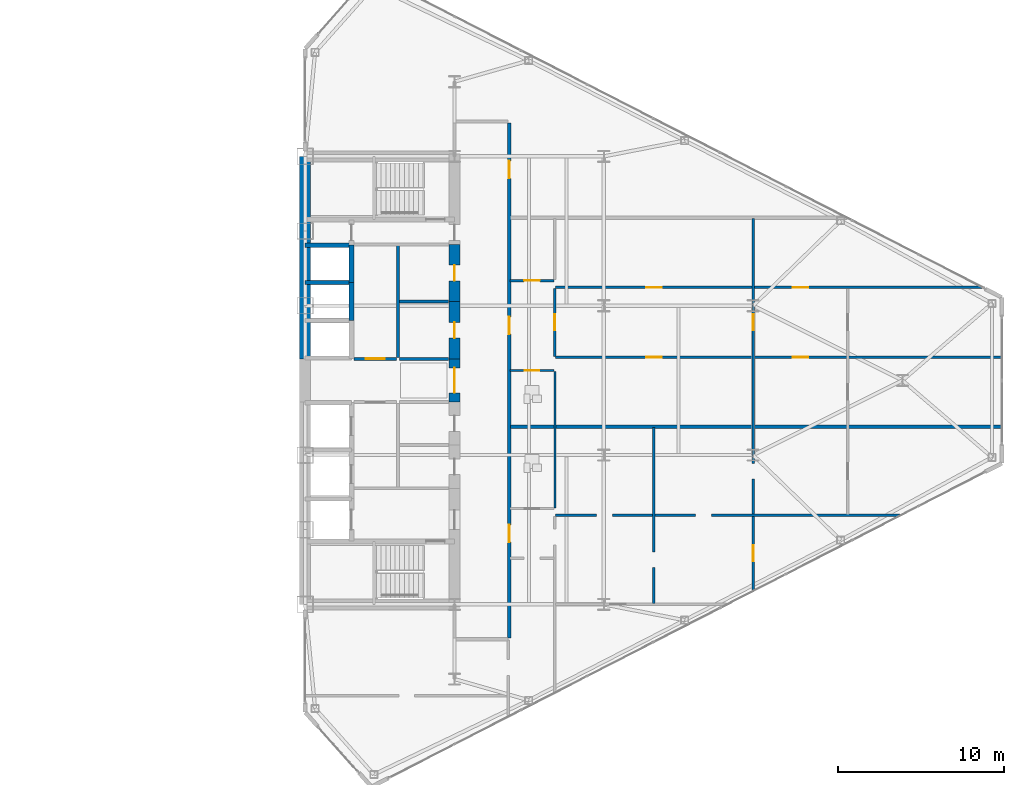
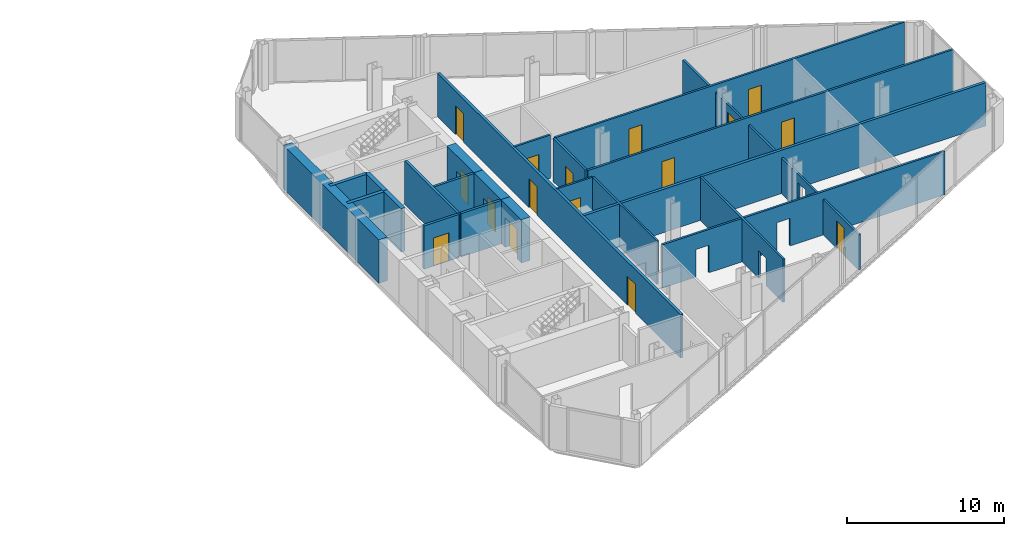
# One storey, part 20 of 24: 23 walls, 16 doors, 20 openings.
"""IFC4 building model written with IfcOpenShell, lengths in metres."""

from ifc_helpers import new_model, si_unit, direction, frame, frame_2d, origin, place, context, subcontext, project, spatial, rectangle, extrude, source, transform, mapped, material, layer, layer_set, type_object, type_shapes, element, fill, save


model = new_model("IFC4")

# Units and contexts
model_context = context("Model", 3, precision=1e-05, world=origin(), true_north=direction((0.0, 1.0)))
body_context = subcontext(model_context, "Body", "Model", "MODEL_VIEW")
ifc_project = project(units=[si_unit("LENGTHUNIT", "METRE"), si_unit("AREAUNIT", "SQUARE_METRE"), si_unit("VOLUMEUNIT", "CUBIC_METRE"), si_unit("PLANEANGLEUNIT", "RADIAN"), si_unit("MASSUNIT", "GRAM", prefix="KILO")], contexts=[model_context])

# Site, building, storey
site_placement = place(None, origin())
site = spatial("IfcSite", under=ifc_project, at=site_placement, CompositionType="ELEMENT")
building_placement = place(site_placement, origin())
building = spatial("IfcBuilding", under=site, at=building_placement, Name="Seokmaru Belvedere", CompositionType="ELEMENT")
storey_placement = place(building_placement, frame((0.0, 0.0, 117.60009765625)))
storey = spatial("IfcBuildingStorey", under=building, at=storey_placement, Name="L31", CompositionType="ELEMENT", Elevation=117.60009765625)

# Wall, openings
ifc_material_1 = material(Name="Fire-Rated Gypsum Shaftwall")
ifc_layer_1 = layer(ifc_material_1, 0.14990234375)
ifc_layer_set_1 = layer_set([ifc_layer_1], Name="Fire-Rated Gypsum Shaftwall")
wall_type_1 = type_object("IfcWallType", Name="Apartment Fire-Acoustic Room Partition 150", PredefinedType="PARTITIONING", material=ifc_layer_set_1)
wall_1_placement = place(storey_placement, frame((42.60009765625, -8.139892578125, 0.0), z_axis=(0.0, 0.0, 1.0), x_axis=(1.0, 0.0, 0.0)))
wall_1 = element("IfcWall", 1, at=wall_1_placement, inside=storey, type_object=wall_type_1, Name="L31 Interior Partition 007", PredefinedType="PARTITIONING", context=body_context, shape_type="SweptSolid", body=[
    extrude(rectangle(XDim=20.809814453125, YDim=0.14990234375, at=frame_2d((10.40478515625, 0.0))), origin(), (0.0, 0.0, 1.0), 3.3798828125),
])
opening_1_placement = place(wall_1_placement, frame((2.46240234375, 0.0, 0.0)))
element("IfcOpeningElement", 2, at=opening_1_placement, cuts=wall_1, Name="L31 Cased Opening 035", PredefinedType="OPENING", context=body_context, shape_type="SweptSolid", body=[
    extrude(rectangle(XDim=0.949951171875, YDim=2.14990234375, at=frame_2d((0.47509765625, 1.074951171875))), frame((0.0, 0.0849609375, 0.0), z_axis=(0.0, -1.0, 0.0), x_axis=(1.0, 0.0, 0.0)), (0.0, 0.0, 1.0), 0.169921875),
])
opening_2_placement = place(wall_1_placement, frame((8.4375, 0.0, 0.0)))
element("IfcOpeningElement", 3, at=opening_2_placement, cuts=wall_1, Name="L31 Cased Opening 037", PredefinedType="OPENING", context=body_context, shape_type="SweptSolid", body=[
    extrude(rectangle(XDim=0.949951171875, YDim=2.14990234375, at=frame_2d((0.47509765625, 1.074951171875))), frame((0.0, 0.0849609375, 0.0), z_axis=(0.0, -1.0, 0.0), x_axis=(1.0, 0.0, 0.0)), (0.0, 0.0, 1.0), 0.169921875),
])

# Wall, openings, doors
wall_2_placement = place(storey_placement, frame((42.60009765625, 1.39990234375, 0.0), z_axis=(0.0, 0.0, 1.0), x_axis=(1.0, 0.0, 0.0)))
wall_2 = element("IfcWall", 4, at=wall_2_placement, inside=storey, type_object=wall_type_1, Name="L31 Interior Partition 015", PredefinedType="PARTITIONING", context=body_context, shape_type="SweptSolid", body=[
    extrude(rectangle(XDim=26.934814453125, YDim=0.14990234375, at=frame_2d((13.46728515625, 0.0))), origin(), (0.0, 0.0, 1.0), 3.3798828125),
])
opening_3_placement = place(wall_2_placement, frame((5.449951171875, 0.0, 0.0)))
opening_3 = element("IfcOpeningElement", 5, at=opening_3_placement, cuts=wall_2, Name="Opening D05", PredefinedType="OPENING", context=body_context, shape_type="SweptSolid", body=[
    extrude(rectangle(XDim=0.949951171875, YDim=2.14990234375, at=frame_2d((0.47509765625, 1.074951171875))), frame((0.0, 0.0849609375, 0.0), z_axis=(0.0, -1.0, 0.0), x_axis=(1.0, 0.0, 0.0)), (0.0, 0.0, 1.0), 0.169921875),
])
opening_4_placement = place(wall_2_placement, frame((14.27490234375, 0.0, 0.0)))
opening_4 = element("IfcOpeningElement", 6, at=opening_4_placement, cuts=wall_2, Name="Opening D05", PredefinedType="OPENING", context=body_context, shape_type="SweptSolid", body=[
    extrude(rectangle(XDim=0.949951171875, YDim=2.14990234375, at=frame_2d((0.47509765625, 1.074951171875))), frame((0.0, 0.0849609375, 0.0), z_axis=(0.0, -1.0, 0.0), x_axis=(1.0, 0.0, 0.0)), (0.0, 0.0, 1.0), 0.169921875),
])
ifc_material_2 = material(Name="Engineered White Oak Timber", Category="wood")
door_type_1 = type_object("IfcDoorType", Name="Apartment Interior Fire-Rated Oak Door 950x2150", OperationType="NOTDEFINED", PredefinedType="DOOR", material=ifc_material_2)
shared_shape_1 = source(origin(), body_context, "Body", "SweptSolid", [
    extrude(rectangle(XDim=0.949951171875, YDim=2.14990234375, at=frame_2d((0.47509765625, 1.074951171875))), frame((0.0, 0.02490234375, 0.0), z_axis=(0.0, -1.0, 0.0), x_axis=(1.0, 0.0, 0.0)), (0.0, 0.0, 1.0), 0.050048828125),
])
type_shapes(door_type_1, [shared_shape_1])
door_1_placement = place(opening_3_placement, origin())
door_1 = element("IfcDoor", 7, at=door_1_placement, inside=storey, type_object=door_type_1, Name="L31 Interior Door 047", OperationType="SINGLE_SWING_RIGHT", OverallHeight=2.14990234375, OverallWidth=0.949951171875, PredefinedType="DOOR", context=body_context, shape_type="MappedRepresentation", body=[
    mapped(shared_shape_1, transform((0.0, 0.0, 0.0), scale=1.0)),
])
fill(opening_3, door_1)
door_2_placement = place(opening_4_placement, origin())
door_2 = element("IfcDoor", 8, at=door_2_placement, inside=storey, type_object=door_type_1, Name="L31 Interior Door 049", OperationType="SINGLE_SWING_RIGHT", OverallHeight=2.14990234375, OverallWidth=0.949951171875, PredefinedType="DOOR", context=body_context, shape_type="MappedRepresentation", body=[
    mapped(shared_shape_1, transform((0.0, 0.0, 0.0), scale=1.0)),
])
fill(opening_4, door_2)

wall_3_placement = place(storey_placement, frame((42.60009765625, 5.60009765625, 0.0), z_axis=(0.0, 0.0, 1.0), x_axis=(1.0, 0.0, 0.0)))
wall_3 = element("IfcWall", 9, at=wall_3_placement, inside=storey, type_object=wall_type_1, Name="L31 Interior Partition 017", PredefinedType="PARTITIONING", context=body_context, shape_type="SweptSolid", body=[
    extrude(rectangle(XDim=25.765869140625, YDim=0.14990234375, at=frame_2d((12.8828125, 0.0))), origin(), (0.0, 0.0, 1.0), 3.3798828125),
])
opening_5_placement = place(wall_3_placement, frame((5.449951171875, 0.0, 0.0)))
opening_5 = element("IfcOpeningElement", 10, at=opening_5_placement, cuts=wall_3, Name="Opening D05", PredefinedType="OPENING", context=body_context, shape_type="SweptSolid", body=[
    extrude(rectangle(XDim=0.949951171875, YDim=2.14990234375, at=frame_2d((0.47509765625, 1.074951171875))), frame((0.0, 0.0849609375, 0.0), z_axis=(0.0, -1.0, 0.0), x_axis=(1.0, 0.0, 0.0)), (0.0, 0.0, 1.0), 0.169921875),
])
opening_6_placement = place(wall_3_placement, frame((14.27490234375, 0.0, 0.0)))
opening_6 = element("IfcOpeningElement", 11, at=opening_6_placement, cuts=wall_3, Name="Opening D05", PredefinedType="OPENING", context=body_context, shape_type="SweptSolid", body=[
    extrude(rectangle(XDim=0.949951171875, YDim=2.14990234375, at=frame_2d((0.47509765625, 1.074951171875))), frame((0.0, 0.0849609375, 0.0), z_axis=(0.0, -1.0, 0.0), x_axis=(1.0, 0.0, 0.0)), (0.0, 0.0, 1.0), 0.169921875),
])
door_3_placement = place(opening_5_placement, origin())
door_3 = element("IfcDoor", 12, at=door_3_placement, inside=storey, type_object=door_type_1, Name="L31 Interior Door 048", OperationType="SINGLE_SWING_LEFT", OverallHeight=2.14990234375, OverallWidth=0.949951171875, PredefinedType="DOOR", context=body_context, shape_type="MappedRepresentation", body=[
    mapped(shared_shape_1, transform((0.0, 0.0, 0.0), scale=1.0)),
])
fill(opening_5, door_3)
door_4_placement = place(opening_6_placement, origin())
door_4 = element("IfcDoor", 13, at=door_4_placement, inside=storey, type_object=door_type_1, Name="L31 Interior Door 052", OperationType="SINGLE_SWING_LEFT", OverallHeight=2.14990234375, OverallWidth=0.949951171875, PredefinedType="DOOR", context=body_context, shape_type="MappedRepresentation", body=[
    mapped(shared_shape_1, transform((0.0, 0.0, 0.0), scale=1.0)),
])
fill(opening_6, door_4)

# Wall, opening, door
wall_4_placement = place(storey_placement, frame((39.85009765625, 6.02001953125, 0.0), z_axis=(0.0, 0.0, 1.0), x_axis=(1.0, 0.0, 0.0)))
wall_4 = element("IfcWall", 14, at=wall_4_placement, inside=storey, type_object=wall_type_1, Name="L31 Interior Partition 018", PredefinedType="PARTITIONING", context=body_context, shape_type="SweptSolid", body=[
    extrude(rectangle(XDim=2.64990234375, YDim=0.14990234375, at=frame_2d((1.324951171875, 0.0))), origin(), (0.0, 0.0, 1.0), 3.3798828125),
])
opening_7_placement = place(wall_4_placement, frame((0.85009765625, 0.0, 0.0)))
opening_7 = element("IfcOpeningElement", 15, at=opening_7_placement, cuts=wall_4, Name="Opening D05", PredefinedType="OPENING", context=body_context, shape_type="SweptSolid", body=[
    extrude(rectangle(XDim=0.949951171875, YDim=2.14990234375, at=frame_2d((0.47509765625, 1.074951171875))), frame((0.0, 0.0849609375, 0.0), z_axis=(0.0, -1.0, 0.0), x_axis=(1.0, 0.0, 0.0)), (0.0, 0.0, 1.0), 0.169921875),
])
door_5_placement = place(opening_7_placement, origin())
door_5 = element("IfcDoor", 16, at=door_5_placement, inside=storey, type_object=door_type_1, Name="L31 Interior Door 044", OperationType="SINGLE_SWING_RIGHT", OverallHeight=2.14990234375, OverallWidth=0.949951171875, PredefinedType="DOOR", context=body_context, shape_type="MappedRepresentation", body=[
    mapped(shared_shape_1, transform((0.0, 0.0, 0.0), scale=1.0)),
])
fill(opening_7, door_5)

wall_5_placement = place(storey_placement, frame((42.550048828125, 1.449951171875, 0.0), z_axis=(0.0, 0.0, 1.0), x_axis=(0.0, 1.0, 0.0)))
wall_5 = element("IfcWall", 17, at=wall_5_placement, inside=storey, type_object=wall_type_1, Name="L31 Interior Partition 043", PredefinedType="PARTITIONING", context=body_context, shape_type="SweptSolid", body=[
    extrude(rectangle(XDim=4.10009765625, YDim=0.14990234375, at=frame_2d((2.050048828125, 0.0))), origin(), (0.0, 0.0, 1.0), 3.3798828125),
])
opening_8_placement = place(wall_5_placement, frame((1.574951171875, 0.0, 0.0)))
opening_8 = element("IfcOpeningElement", 18, at=opening_8_placement, cuts=wall_5, Name="Opening D05", PredefinedType="OPENING", context=body_context, shape_type="SweptSolid", body=[
    extrude(rectangle(XDim=0.949951171875, YDim=2.14990234375, at=frame_2d((0.47509765625, 1.074951171875))), frame((0.0, 0.0849609375, 0.0), z_axis=(0.0, -1.0, 0.0), x_axis=(1.0, 0.0, 0.0)), (0.0, 0.0, 1.0), 0.169921875),
])
door_6_placement = place(opening_8_placement, origin())
door_6 = element("IfcDoor", 19, at=door_6_placement, inside=storey, type_object=door_type_1, Name="L31 Interior Door 045", OperationType="SINGLE_SWING_LEFT", OverallHeight=2.14990234375, OverallWidth=0.949951171875, PredefinedType="DOOR", context=body_context, shape_type="MappedRepresentation", body=[
    mapped(shared_shape_1, transform((0.0, 0.0, 0.0), scale=1.0)),
])
fill(opening_8, door_6)

# Wall, opening
wall_6_placement = place(storey_placement, frame((48.52001953125, -13.43603515625, 0.0), z_axis=(0.0, 0.0, 1.0), x_axis=(0.0, 1.0, 0.0)))
wall_6 = element("IfcWall", 20, at=wall_6_placement, inside=storey, type_object=wall_type_1, Name="L31 Interior Partition 045", PredefinedType="PARTITIONING", context=body_context, shape_type="SweptSolid", body=[
    extrude(rectangle(XDim=10.5859375, YDim=0.14990234375, at=frame_2d((5.29296875, 0.0))), origin(), (0.0, 0.0, 1.0), 3.3798828125),
])
opening_9_placement = place(wall_6_placement, frame((2.146240234375, 0.0, 0.0)))
element("IfcOpeningElement", 21, at=opening_9_placement, cuts=wall_6, Name="L31 Cased Opening 034", PredefinedType="OPENING", context=body_context, shape_type="SweptSolid", body=[
    extrude(rectangle(XDim=0.949951171875, YDim=2.14990234375, at=frame_2d((0.47509765625, 1.074951171875))), frame((0.0, 0.0849609375, 0.0), z_axis=(0.0, -1.0, 0.0), x_axis=(1.0, 0.0, 0.0)), (0.0, 0.0, 1.0), 0.169921875),
])

# Wall, openings, doors
wall_7_placement = place(storey_placement, frame((54.5, -12.73193359375, 0.0), z_axis=(0.0, 0.0, 1.0), x_axis=(0.0, 1.0, 0.0)))
wall_7 = element("IfcWall", 22, at=wall_7_placement, inside=storey, type_object=wall_type_1, Name="L31 Interior Partition 046", PredefinedType="PARTITIONING", context=body_context, shape_type="SweptSolid", body=[
    extrude(rectangle(XDim=22.48193359375, YDim=0.14990234375, at=frame_2d((11.240966796875, 0.0))), origin(), (0.0, 0.0, 1.0), 2.77978515625),
])
opening_10_placement = place(wall_7_placement, frame((1.836669921875, 0.0, 0.0)))
opening_10 = element("IfcOpeningElement", 23, at=opening_10_placement, cuts=wall_7, Name="Opening D05", PredefinedType="OPENING", context=body_context, shape_type="SweptSolid", body=[
    extrude(rectangle(XDim=0.949951171875, YDim=2.14990234375, at=frame_2d((0.47509765625, 1.074951171875))), frame((0.0, 0.0849609375, 0.0), z_axis=(0.0, -1.0, 0.0), x_axis=(1.0, 0.0, 0.0)), (0.0, 0.0, 1.0), 0.169921875),
])
opening_11_placement = place(wall_7_placement, frame((6.785400390625, 0.0, 0.0)))
element("IfcOpeningElement", 24, at=opening_11_placement, cuts=wall_7, Name="L31 Cased Opening 038", PredefinedType="OPENING", context=body_context, shape_type="SweptSolid", body=[
    extrude(rectangle(XDim=0.949951171875, YDim=2.14990234375, at=frame_2d((0.47509765625, 1.074951171875))), frame((0.0, 0.0849609375, 0.0), z_axis=(0.0, -1.0, 0.0), x_axis=(1.0, 0.0, 0.0)), (0.0, 0.0, 1.0), 0.169921875),
])
opening_12_placement = place(wall_7_placement, frame((15.757080078125, 0.0, 0.0)))
opening_12 = element("IfcOpeningElement", 25, at=opening_12_placement, cuts=wall_7, Name="Opening D05", PredefinedType="OPENING", context=body_context, shape_type="SweptSolid", body=[
    extrude(rectangle(XDim=0.949951171875, YDim=2.14990234375, at=frame_2d((0.47509765625, 1.074951171875))), frame((0.0, 0.0849609375, 0.0), z_axis=(0.0, -1.0, 0.0), x_axis=(1.0, 0.0, 0.0)), (0.0, 0.0, 1.0), 0.169921875),
])
door_7_placement = place(opening_10_placement, origin())
door_7 = element("IfcDoor", 26, at=door_7_placement, inside=storey, type_object=door_type_1, Name="L31 Interior Door 036", OperationType="SINGLE_SWING_RIGHT", OverallHeight=2.14990234375, OverallWidth=0.949951171875, PredefinedType="DOOR", context=body_context, shape_type="MappedRepresentation", body=[
    mapped(shared_shape_1, transform((0.0, 0.0, 0.0), scale=1.0)),
])
fill(opening_10, door_7)
door_8_placement = place(opening_12_placement, origin())
door_8 = element("IfcDoor", 27, at=door_8_placement, inside=storey, type_object=door_type_1, Name="L31 Interior Door 046", OperationType="SINGLE_SWING_RIGHT", OverallHeight=2.14990234375, OverallWidth=0.949951171875, PredefinedType="DOOR", context=body_context, shape_type="MappedRepresentation", body=[
    mapped(shared_shape_1, transform((0.0, 0.0, 0.0), scale=1.0)),
])
fill(opening_12, door_8)

# Wall
ifc_layer_2 = layer(ifc_material_1, 0.179931640625)
ifc_layer_set_2 = layer_set([ifc_layer_2], Name="Fire-Rated Gypsum Shaftwall")
wall_type_2 = type_object("IfcWallType", Name="Core Service Fire Partition 180", PredefinedType="PARTITIONING", material=ifc_layer_set_2)
wall_8_placement = place(storey_placement, frame((33.10009765625, 1.3798828125, 0.0), z_axis=(0.0, 0.0, 1.0), x_axis=(0.0, 1.0, 0.0)))
element("IfcWall", 28, at=wall_8_placement, inside=storey, type_object=wall_type_2, Name="L31 East North Core Service Back Wall", PredefinedType="PARTITIONING", context=body_context, shape_type="SweptSolid", body=[
    extrude(rectangle(XDim=6.740234375, YDim=0.179931640625, at=frame_2d((3.3701171875, 0.0))), origin(), (0.0, 0.0, 1.0), 3.3798828125),
])

# Wall, opening, door
wall_9_placement = place(storey_placement, frame((30.449951171875, 1.300048828125, 0.0), z_axis=(0.0, 0.0, 1.0), x_axis=(1.0, 0.0, 0.0)))
wall_9 = element("IfcWall", 29, at=wall_9_placement, inside=storey, type_object=wall_type_2, Name="L31 East North Lift Lobby Foyer Wall", PredefinedType="PARTITIONING", context=body_context, shape_type="SweptSolid", body=[
    extrude(rectangle(XDim=2.570068359375, YDim=0.179931640625, at=frame_2d((1.28515625, 0.0))), origin(), (0.0, 0.0, 1.0), 3.3798828125),
])
opening_13_placement = place(wall_9_placement, frame((0.7099609375, 0.0, 0.0)))
opening_13 = element("IfcOpeningElement", 30, at=opening_13_placement, cuts=wall_9, Name="Opening D02", PredefinedType="OPENING", context=body_context, shape_type="SweptSolid", body=[
    extrude(rectangle(XDim=1.14990234375, YDim=2.199951171875, at=frame_2d((0.574951171875, 1.10009765625))), frame((0.0, 0.10009765625, 0.0), z_axis=(0.0, -1.0, 0.0), x_axis=(1.0, 0.0, 0.0)), (0.0, 0.0, 1.0), 0.199951171875),
])
ifc_material_3 = material(Name="Fire-Rated Steel Leaf", Category="steel")
door_type_2 = type_object("IfcDoorType", Name="Lobby and Vestibule Fire Door 1150x2200", OperationType="NOTDEFINED", PredefinedType="DOOR", material=ifc_material_3)
shared_shape_2 = source(origin(), body_context, "Body", "SweptSolid", [
    extrude(rectangle(XDim=1.14990234375, YDim=2.199951171875, at=frame_2d((0.574951171875, 1.10009765625))), frame((0.0, 0.02490234375, 0.0), z_axis=(0.0, -1.0, 0.0), x_axis=(1.0, 0.0, 0.0)), (0.0, 0.0, 1.0), 0.050048828125),
])
type_shapes(door_type_2, [shared_shape_2])
door_9_placement = place(opening_13_placement, origin())
door_9 = element("IfcDoor", 31, at=door_9_placement, inside=storey, type_object=door_type_2, Name="L31 East North Lift Lobby Door", OperationType="SINGLE_SWING_LEFT", OverallHeight=2.199951171875, OverallWidth=1.14990234375, PredefinedType="DOOR", context=body_context, shape_type="MappedRepresentation", body=[
    mapped(shared_shape_2, transform((0.0, 0.0, 0.0), scale=1.0)),
])
fill(opening_13, door_9)

# Walls
for number, where, z_axis, x_axis, name in (
    (32, (33.199951171875, 1.300048828125, 0.0), (0.0, 0.0, 1.0), (1.0, 0.0, 0.0), "L31 East Foyer Side Wall N"),
    (33, (33.199951171875, 4.75, 0.0), (0.0, 0.0, 1.0), (1.0, 0.0, 0.0), "L31 East Core Service Partition 2"),
):
    element("IfcWall", number, at=place(storey_placement, frame(where, z_axis=z_axis, x_axis=x_axis)), inside=storey, type_object=wall_type_2, Name=name, PredefinedType="PARTITIONING", context=body_context, shape_type="SweptSolid", body=[
        extrude(rectangle(XDim=2.949951171875, YDim=0.179931640625, at=frame_2d((1.47509765625, 0.0))), origin(), (0.0, 0.0, 1.0), 3.3798828125),
    ])
ifc_material_4 = material(Name="Concrete C50 (50 MPa)", Category="concrete")
ifc_layer_3 = layer(ifc_material_4, 0.25)
ifc_layer_set_3 = layer_set([ifc_layer_3], Name="Concrete C50 (50 MPa)")
wall_type_3 = type_object("IfcWallType", Name="Hoistway Transverse Concrete Divider Wall 250", PredefinedType="SHEAR", material=ifc_layer_set_3)
for number, where, z_axis, x_axis, name in (
    (34, (27.5, 5.89990234375, 0.0), (0.0, 0.0, 1.0), (1.0, 0.0, 0.0), "L31 East Hoistway Divider Core Wall 6"),
    (35, (27.5, 8.14990234375, 0.0), (0.0, 0.0, 1.0), (1.0, 0.0, 0.0), "L31 East Hoistway Divider Core Wall 7"),
):
    element("IfcWall", number, at=place(storey_placement, frame(where, z_axis=z_axis, x_axis=x_axis)), inside=storey, type_object=wall_type_3, Name=name, PredefinedType="SHEAR", context=body_context, shape_type="SweptSolid", body=[
        extrude(rectangle(XDim=2.800048828125, YDim=0.25, at=frame_2d((1.39990234375, 0.0))), origin(), (0.0, 0.0, 1.0), 3.3798828125),
    ])
ifc_layer_4 = layer(ifc_material_1, 0.199951171875)
ifc_layer_set_4 = layer_set([ifc_layer_4], Name="Fire-Rated Gypsum Shaftwall")
wall_type_4 = type_object("IfcWallType", Name="Inter-Tenancy Fire Compartment Partition 200", PredefinedType="PARTITIONING", material=ifc_layer_set_4)
wall_10_placement = place(storey_placement, frame((39.8798828125, -2.800048828125, 0.0), z_axis=(0.0, 0.0, 1.0), x_axis=(1.0, 0.0, 0.0)))
element("IfcWall", 36, at=wall_10_placement, inside=storey, type_object=wall_type_4, Name="L31 Interior Partition 011", PredefinedType="PARTITIONING", context=body_context, shape_type="SweptSolid", body=[
    extrude(rectangle(XDim=29.625, YDim=0.199951171875, at=frame_2d((14.8125, 0.0))), origin(), (0.0, 0.0, 1.0), 3.3798828125),
])

# Wall, openings, doors
wall_11_placement = place(storey_placement, frame((39.800048828125, -15.514892578125, 0.0), z_axis=(0.0, 0.0, 1.0), x_axis=(0.0, 1.0, 0.0)))
wall_11 = element("IfcWall", 37, at=wall_11_placement, inside=storey, type_object=wall_type_4, Name="L31 Interior Partition 040", PredefinedType="PARTITIONING", context=body_context, shape_type="SweptSolid", body=[
    extrude(rectangle(XDim=31.02978515625, YDim=0.199951171875, at=frame_2d((15.514892578125, 0.0))), origin(), (0.0, 0.0, 1.0), 3.3798828125),
])
opening_14_placement = place(wall_11_placement, frame((5.762451171875, 0.0, 0.0)))
opening_14 = element("IfcOpeningElement", 38, at=opening_14_placement, cuts=wall_11, Name="Opening D03", PredefinedType="OPENING", context=body_context, shape_type="SweptSolid", body=[
    extrude(rectangle(XDim=1.050048828125, YDim=2.25, at=frame_2d((0.52490234375, 1.125))), frame((0.0, 0.10986328125, 0.0), z_axis=(0.0, -1.0, 0.0), x_axis=(1.0, 0.0, 0.0)), (0.0, 0.0, 1.0), 0.219970703125),
])
opening_15_placement = place(wall_11_placement, frame((18.301025390625, 0.0, 0.0)))
opening_15 = element("IfcOpeningElement", 39, at=opening_15_placement, cuts=wall_11, Name="Opening D03", PredefinedType="OPENING", context=body_context, shape_type="SweptSolid", body=[
    extrude(rectangle(XDim=1.050048828125, YDim=2.25, at=frame_2d((0.52490234375, 1.125))), frame((0.0, 0.10986328125, 0.0), z_axis=(0.0, -1.0, 0.0), x_axis=(1.0, 0.0, 0.0)), (0.0, 0.0, 1.0), 0.219970703125),
])
opening_16_placement = place(wall_11_placement, frame((27.68994140625, 0.0, 0.0)))
opening_16 = element("IfcOpeningElement", 40, at=opening_16_placement, cuts=wall_11, Name="Opening D03", PredefinedType="OPENING", context=body_context, shape_type="SweptSolid", body=[
    extrude(rectangle(XDim=1.050048828125, YDim=2.25, at=frame_2d((0.52490234375, 1.125))), frame((0.0, 0.10986328125, 0.0), z_axis=(0.0, -1.0, 0.0), x_axis=(1.0, 0.0, 0.0)), (0.0, 0.0, 1.0), 0.219970703125),
])
door_type_3 = type_object("IfcDoorType", Name="Apartment Entrance Fire Door 1050x2250", OperationType="NOTDEFINED", PredefinedType="DOOR", material=ifc_material_3)
shared_shape_3 = source(origin(), body_context, "Body", "SweptSolid", [
    extrude(rectangle(XDim=1.050048828125, YDim=2.25, at=frame_2d((0.52490234375, 1.125))), frame((0.0, 0.02490234375, 0.0), z_axis=(0.0, -1.0, 0.0), x_axis=(1.0, 0.0, 0.0)), (0.0, 0.0, 1.0), 0.050048828125),
])
type_shapes(door_type_3, [shared_shape_3])
door_10_placement = place(opening_14_placement, origin())
door_10 = element("IfcDoor", 41, at=door_10_placement, inside=storey, type_object=door_type_3, Name="L31 Interior Door 029", OperationType="SINGLE_SWING_LEFT", OverallHeight=2.25, OverallWidth=1.050048828125, PredefinedType="DOOR", context=body_context, shape_type="MappedRepresentation", body=[
    mapped(shared_shape_3, transform((0.0, 0.0, 0.0), scale=1.0)),
])
fill(opening_14, door_10)
door_11_placement = place(opening_15_placement, origin())
door_11 = element("IfcDoor", 42, at=door_11_placement, inside=storey, type_object=door_type_3, Name="L31 Interior Door 042", OperationType="SINGLE_SWING_RIGHT", OverallHeight=2.25, OverallWidth=1.050048828125, PredefinedType="DOOR", context=body_context, shape_type="MappedRepresentation", body=[
    mapped(shared_shape_3, transform((0.0, 0.0, 0.0), scale=1.0)),
])
fill(opening_15, door_11)
door_12_placement = place(opening_16_placement, origin())
door_12 = element("IfcDoor", 43, at=door_12_placement, inside=storey, type_object=door_type_3, Name="L31 Interior Door 053", OperationType="SINGLE_SWING_LEFT", OverallHeight=2.25, OverallWidth=1.050048828125, PredefinedType="DOOR", context=body_context, shape_type="MappedRepresentation", body=[
    mapped(shared_shape_3, transform((0.0, 0.0, 0.0), scale=1.0)),
])
fill(opening_16, door_12)

# Walls
ifc_layer_5 = layer(ifc_material_4, 0.300048828125)
ifc_layer_set_5 = layer_set([ifc_layer_5], Name="Concrete C50 (50 MPa)")
wall_type_5 = type_object("IfcWallType", Name="Internal Core Stair and Hoistway Wall 300", PredefinedType="SHEAR", material=ifc_layer_set_5)
wall_12_placement = place(storey_placement, frame((30.300048828125, 3.60009765625, 0.0), z_axis=(0.0, 0.0, 1.0), x_axis=(0.0, 1.0, 0.0)))
element("IfcWall", 44, at=wall_12_placement, inside=storey, type_object=wall_type_5, Name="L31 East North Hoistway Wall PH2", PredefinedType="SHEAR", context=body_context, shape_type="SweptSolid", body=[
    extrude(rectangle(XDim=2.2998046875, YDim=0.300048828125, at=frame_2d((1.14990234375, 0.0))), origin(), (0.0, 0.0, 1.0), 3.3798828125),
])
wall_13_placement = place(storey_placement, frame((30.300048828125, 5.89990234375, 0.0), z_axis=(0.0, 0.0, 1.0), x_axis=(0.0, 1.0, 0.0)))
element("IfcWall", 45, at=wall_13_placement, inside=storey, type_object=wall_type_5, Name="L31 East North Hoistway Wall OBS", PredefinedType="SHEAR", context=body_context, shape_type="SweptSolid", body=[
    extrude(rectangle(XDim=2.25, YDim=0.300048828125, at=frame_2d((1.125, 0.0))), origin(), (0.0, 0.0, 1.0), 3.3798828125),
])
ifc_material_5 = material(Name="Concrete C60 (60 MPa)", Category="concrete")
ifc_layer_6 = layer(ifc_material_5, 0.64990234375)
ifc_layer_set_6 = layer_set([ifc_layer_6], Name="Concrete C60 (60 MPa)")
wall_type_6 = type_object("IfcWallType", Name="Mid-Low Reinforced Concrete Core Wall 650", PredefinedType="SHEAR", material=ifc_layer_set_6)
wall_14_placement = place(storey_placement, frame((27.5, 1.300048828125, 0.0), z_axis=(0.0, 0.0, 1.0), x_axis=(0.0, 1.0, 0.0)))
element("IfcWall", 46, at=wall_14_placement, inside=storey, type_object=wall_type_6, Name="L31 East Portal Spine Core Wall North", PredefinedType="SHEAR", context=body_context, shape_type="SweptSolid", body=[
    extrude(rectangle(XDim=12.199951171875, YDim=0.64990234375, at=frame_2d((6.10009765625, 0.0))), origin(), (0.0, 0.0, 1.0), 3.3798828125),
])

# Wall, opening, door
wall_15_placement = place(storey_placement, frame((36.5, -1.300048828125, 0.0), z_axis=(0.0, 0.0, 1.0), x_axis=(0.0, 1.0, 0.0)))
wall_15 = element("IfcWall", 47, at=wall_15_placement, inside=storey, type_object=wall_type_6, Name="L31 East West Core Wall FOY", PredefinedType="SHEAR", context=body_context, shape_type="SweptSolid", body=[
    extrude(rectangle(XDim=2.60009765625, YDim=0.64990234375, at=frame_2d((1.300048828125, 0.0))), origin(), (0.0, 0.0, 1.0), 3.3798828125),
])
opening_17_placement = place(wall_15_placement, frame((0.550048828125, 0.0, 0.0)))
opening_17 = element("IfcOpeningElement", 48, at=opening_17_placement, cuts=wall_15, Name="Opening D08", PredefinedType="OPENING", context=body_context, shape_type="SweptSolid", body=[
    extrude(rectangle(XDim=1.5, YDim=2.300048828125, at=frame_2d((0.75, 1.14990234375))), frame((0.0, 0.3349609375, 0.0), z_axis=(0.0, -1.0, 0.0), x_axis=(1.0, 0.0, 0.0)), (0.0, 0.0, 1.0), 0.669921875),
])
door_type_4 = type_object("IfcDoorType", Name="Cross-Corridor Compartment Double Fire Door 1500x2300", OperationType="DOUBLE_SWING_LEFT", PredefinedType="DOOR", material=ifc_material_3)
shared_shape_4 = source(origin(), body_context, "Body", "SweptSolid", [
    extrude(rectangle(XDim=1.5, YDim=2.300048828125, at=frame_2d((0.75, 1.14990234375))), frame((0.0, 0.02490234375, 0.0), z_axis=(0.0, -1.0, 0.0), x_axis=(1.0, 0.0, 0.0)), (0.0, 0.0, 1.0), 0.050048828125),
])
type_shapes(door_type_4, [shared_shape_4])
door_13_placement = place(opening_17_placement, origin())
door_13 = element("IfcDoor", 49, at=door_13_placement, inside=storey, type_object=door_type_4, Name="L31 East Core Foyer Compartment Door", OperationType="DOUBLE_SWING_LEFT", OverallHeight=2.300048828125, OverallWidth=1.5, PredefinedType="DOOR", context=body_context, shape_type="MappedRepresentation", body=[
    mapped(shared_shape_4, transform((0.0, 0.0, 0.0), scale=1.0)),
])
fill(opening_17, door_13)

wall_16_placement = place(storey_placement, frame((36.5, 1.300048828125, 0.0), z_axis=(0.0, 0.0, 1.0), x_axis=(0.0, 1.0, 0.0)))
wall_16 = element("IfcWall", 50, at=wall_16_placement, inside=storey, type_object=wall_type_6, Name="L31 East West Core Wall CS3", PredefinedType="SHEAR", context=body_context, shape_type="SweptSolid", body=[
    extrude(rectangle(XDim=3.449951171875, YDim=0.64990234375, at=frame_2d((1.72509765625, 0.0))), origin(), (0.0, 0.0, 1.0), 3.3798828125),
])
opening_18_placement = place(wall_16_placement, frame((1.25, 0.0, 0.0)))
opening_18 = element("IfcOpeningElement", 51, at=opening_18_placement, cuts=wall_16, Name="Opening D04", PredefinedType="OPENING", context=body_context, shape_type="SweptSolid", body=[
    extrude(rectangle(XDim=0.949951171875, YDim=2.14990234375, at=frame_2d((0.47509765625, 1.074951171875))), frame((0.0, 0.3349609375, 0.0), z_axis=(0.0, -1.0, 0.0), x_axis=(1.0, 0.0, 0.0)), (0.0, 0.0, 1.0), 0.669921875),
])
door_type_5 = type_object("IfcDoorType", Name="Core Service Room Fire Door 950x2150", OperationType="NOTDEFINED", PredefinedType="DOOR", material=ifc_material_3)
shared_shape_5 = source(origin(), body_context, "Body", "SweptSolid", [
    extrude(rectangle(XDim=0.949951171875, YDim=2.14990234375, at=frame_2d((0.47509765625, 1.074951171875))), frame((0.0, 0.02490234375, 0.0), z_axis=(0.0, -1.0, 0.0), x_axis=(1.0, 0.0, 0.0)), (0.0, 0.0, 1.0), 0.050048828125),
])
type_shapes(door_type_5, [shared_shape_5])
door_14_placement = place(opening_18_placement, origin())
door_14 = element("IfcDoor", 52, at=door_14_placement, inside=storey, type_object=door_type_5, Name="L31 East Core Service Room Door 3", OperationType="SINGLE_SWING_RIGHT", OverallHeight=2.14990234375, OverallWidth=0.949951171875, PredefinedType="DOOR", context=body_context, shape_type="MappedRepresentation", body=[
    mapped(shared_shape_5, transform((0.0, 0.0, 0.0), scale=1.0)),
])
fill(opening_18, door_14)

wall_17_placement = place(storey_placement, frame((36.5, 4.75, 0.0), z_axis=(0.0, 0.0, 1.0), x_axis=(0.0, 1.0, 0.0)))
wall_17 = element("IfcWall", 53, at=wall_17_placement, inside=storey, type_object=wall_type_6, Name="L31 East West Core Wall CS4", PredefinedType="SHEAR", context=body_context, shape_type="SweptSolid", body=[
    extrude(rectangle(XDim=3.449951171875, YDim=0.64990234375, at=frame_2d((1.72509765625, 0.0))), origin(), (0.0, 0.0, 1.0), 3.3798828125),
])
opening_19_placement = place(wall_17_placement, frame((1.25, 0.0, 0.0)))
opening_19 = element("IfcOpeningElement", 54, at=opening_19_placement, cuts=wall_17, Name="Opening D04", PredefinedType="OPENING", context=body_context, shape_type="SweptSolid", body=[
    extrude(rectangle(XDim=0.949951171875, YDim=2.14990234375, at=frame_2d((0.47509765625, 1.074951171875))), frame((0.0, 0.3349609375, 0.0), z_axis=(0.0, -1.0, 0.0), x_axis=(1.0, 0.0, 0.0)), (0.0, 0.0, 1.0), 0.669921875),
])
door_15_placement = place(opening_19_placement, origin())
door_15 = element("IfcDoor", 55, at=door_15_placement, inside=storey, type_object=door_type_5, Name="L31 East Core Service Room Door 4", OperationType="SINGLE_SWING_LEFT", OverallHeight=2.14990234375, OverallWidth=0.949951171875, PredefinedType="DOOR", context=body_context, shape_type="MappedRepresentation", body=[
    mapped(shared_shape_5, transform((0.0, 0.0, 0.0), scale=1.0)),
])
fill(opening_19, door_15)

ifc_layer_7 = layer(ifc_material_1, 0.1298828125)
ifc_layer_set_7 = layer_set([ifc_layer_7], Name="Fire-Rated Gypsum Shaftwall")
wall_type_7 = type_object("IfcWallType", Name="Moisture-Resistant Fire-Rated Bathroom Partition 130", PredefinedType="PARTITIONING", material=ifc_layer_set_7)
wall_18_placement = place(storey_placement, frame((39.85009765625, 0.60009765625, 0.0), z_axis=(0.0, 0.0, 1.0), x_axis=(1.0, 0.0, 0.0)))
wall_18 = element("IfcWall", 56, at=wall_18_placement, inside=storey, type_object=wall_type_7, Name="L31 Interior Partition 014", PredefinedType="PARTITIONING", context=body_context, shape_type="SweptSolid", body=[
    extrude(rectangle(XDim=2.64990234375, YDim=0.1298828125, at=frame_2d((1.324951171875, 0.0))), origin(), (0.0, 0.0, 1.0), 3.3798828125),
])
opening_20_placement = place(wall_18_placement, frame((0.885009765625, 0.0, 0.0)))
opening_20 = element("IfcOpeningElement", 57, at=opening_20_placement, cuts=wall_18, Name="Opening D06", PredefinedType="OPENING", context=body_context, shape_type="SweptSolid", body=[
    extrude(rectangle(XDim=0.8798828125, YDim=2.10009765625, at=frame_2d((0.43994140625, 1.050048828125))), frame((0.0, 0.074951171875, 0.0), z_axis=(0.0, -1.0, 0.0), x_axis=(1.0, 0.0, 0.0)), (0.0, 0.0, 1.0), 0.14990234375),
])
door_type_6 = type_object("IfcDoorType", Name="Bathroom and Restroom Fire-Rated Door 880x2100", OperationType="NOTDEFINED", PredefinedType="DOOR", material=ifc_material_2)
shared_shape_6 = source(origin(), body_context, "Body", "SweptSolid", [
    extrude(rectangle(XDim=0.8798828125, YDim=2.10009765625, at=frame_2d((0.43994140625, 1.050048828125))), frame((0.0, 0.02490234375, 0.0), z_axis=(0.0, -1.0, 0.0), x_axis=(1.0, 0.0, 0.0)), (0.0, 0.0, 1.0), 0.050048828125),
])
type_shapes(door_type_6, [shared_shape_6])
door_16_placement = place(opening_20_placement, origin())
door_16 = element("IfcDoor", 58, at=door_16_placement, inside=storey, type_object=door_type_6, Name="L31 Interior Door 043", OperationType="SINGLE_SWING_RIGHT", OverallHeight=2.10009765625, OverallWidth=0.8798828125, PredefinedType="DOOR", context=body_context, shape_type="MappedRepresentation", body=[
    mapped(shared_shape_6, transform((0.0, 0.0, 0.0), scale=1.0)),
])
fill(opening_20, door_16)

# Wall
wall_19_placement = place(storey_placement, frame((42.550048828125, -7.677978515625, 0.0), z_axis=(0.0, 0.0, 1.0), x_axis=(0.0, 1.0, 0.0)))
element("IfcWall", 59, at=wall_19_placement, inside=storey, type_object=wall_type_7, Name="L31 Interior Partition 042", PredefinedType="PARTITIONING", context=body_context, shape_type="SweptSolid", body=[
    extrude(rectangle(XDim=8.22802734375, YDim=0.1298828125, at=frame_2d((4.114013671875, 0.0))), origin(), (0.0, 0.0, 1.0), 3.3798828125),
])

save(model, "model.ifc")
